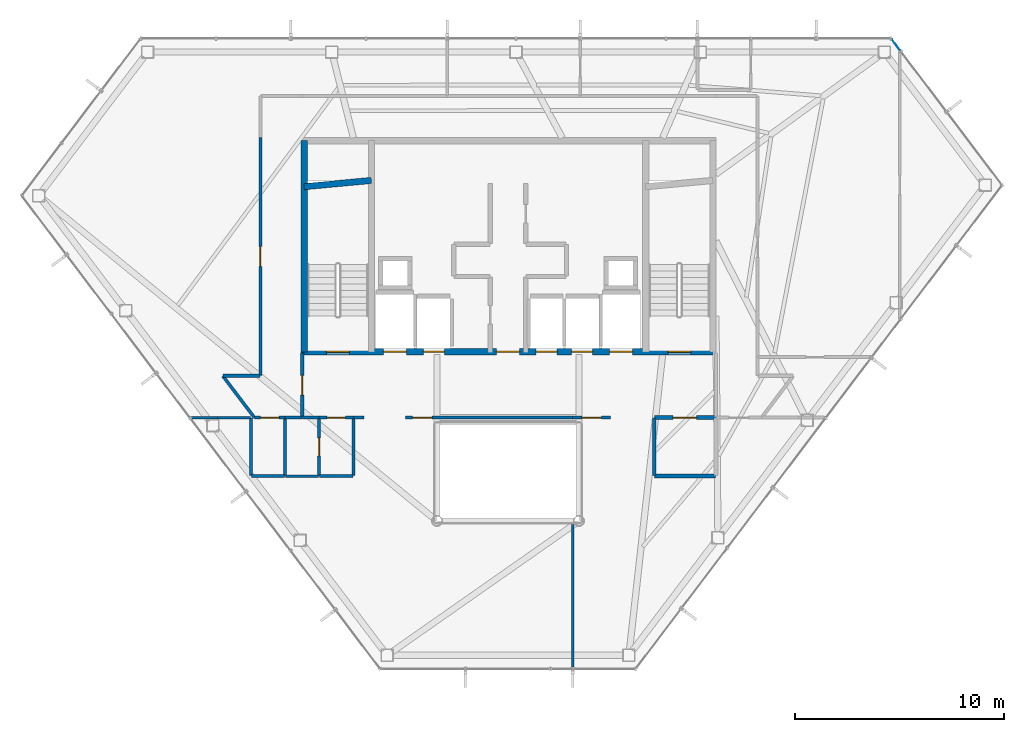
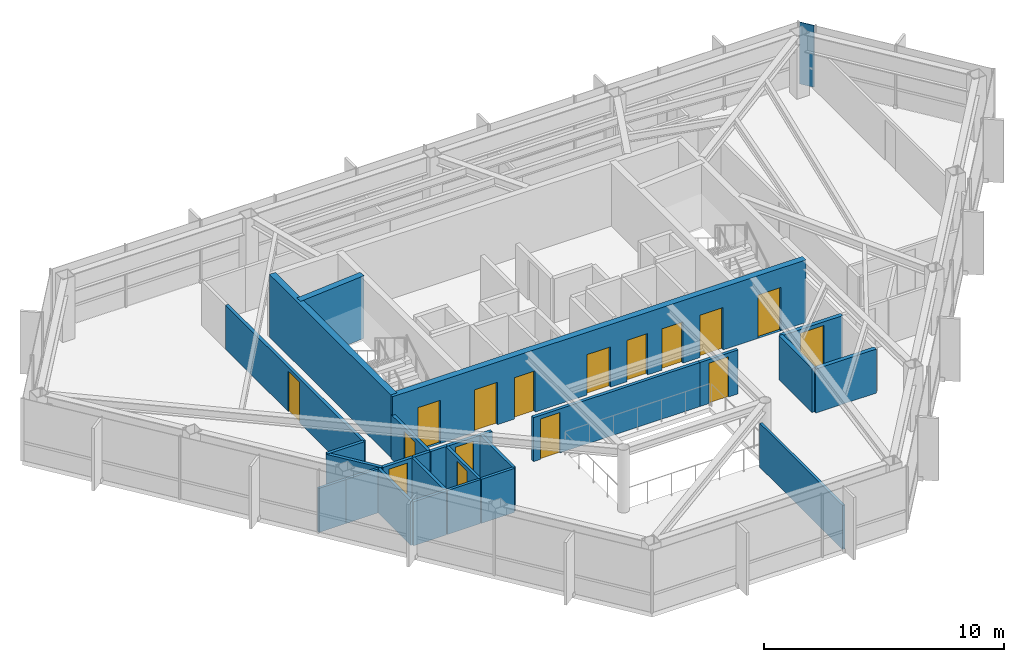
# One storey, part 25 of 28: 27 walls, 16 doors, 1 plate, 16 openings, 1 element without a shape of its own.
"""IFC4 building model written with IfcOpenShell, lengths in metres."""

from ifc_helpers import new_model, si_unit, direction, frame, frame_2d, origin, origin_2d, place, context, subcontext, project, spatial, rectangle, extrude, material, layer, layer_set, type_object, element, fill, aggregate, save


model = new_model("IFC4")

# Units and contexts
model_context = context("Model", 3, precision=1e-05, world=origin(), true_north=direction((0.0, 1.0)))
body_context = subcontext(model_context, "Body", "Model", "MODEL_VIEW")
ifc_project = project(units=[si_unit("LENGTHUNIT", "METRE"), si_unit("AREAUNIT", "SQUARE_METRE"), si_unit("VOLUMEUNIT", "CUBIC_METRE"), si_unit("PLANEANGLEUNIT", "RADIAN"), si_unit("MASSUNIT", "GRAM", prefix="KILO")], contexts=[model_context])

# Site, building, storey
site_placement = place(None, origin())
site = spatial("IfcSite", under=ifc_project, at=site_placement, CompositionType="ELEMENT")
building_placement = place(site_placement, origin())
building = spatial("IfcBuilding", under=site, at=building_placement, Name="Zarrinselat Tower", CompositionType="ELEMENT")
storey_placement = place(building_placement, frame((0.0, 0.0, 218.9599609375)))
storey = spatial("IfcBuildingStorey", under=building, at=storey_placement, Name="L54", CompositionType="ELEMENT", Elevation=218.9599609375)

# Curtain wall, plate
ifc_material_1 = material(Name="Extruded Aluminium Alloy EN AW-6063 T6", Category="aluminium")
ifc_layer_1 = layer(ifc_material_1, 0.169921875)
ifc_layer_set_1 = layer_set([ifc_layer_1], Name="Extruded Aluminium Alloy EN AW-6063 T6")
curtain_wall_type = type_object("IfcCurtainWallType", Name="CWS-RES", PredefinedType="NOTDEFINED", material=ifc_layer_set_1)
curtain_wall_placement = place(storey_placement, origin())
curtain_wall = element("IfcCurtainWall", 1, at=curtain_wall_placement, inside=storey, type_object=curtain_wall_type, Name="L54 Unitised Curtain Wall CW-L54-E06", PredefinedType="NOTDEFINED")
ifc_material_2 = material(Name="Double Low-E Laminated Solar Glass", Category="glass")
ifc_layer_2 = layer(ifc_material_2, 0.028076171875)
ifc_layer_set_2 = layer_set([ifc_layer_2], Name="Double Low-E Laminated Solar Glass")
plate_type = type_object("IfcPlateType", Name="PLT-CW-GL28", PredefinedType="CURTAIN_PANEL", material=ifc_layer_set_2)
plate_placement = place(storey_placement, frame((56.968994140625, 47.991455078125, 0.02001953125), z_axis=(0.0, 0.0, 1.0), x_axis=(-0.603860312232, 0.797090160089, 0.0)))
plate = element("IfcPlate", 2, at=plate_placement, type_object=plate_type, Name="CW-L54-E06 Vision Glass Panel 3", PredefinedType="CURTAIN_PANEL", context=body_context, shape_type="SweptSolid", body=[
    extrude(rectangle(XDim=0.659912109375, YDim=0.028076171875, at=origin_2d()), origin(), (0.0, 0.0, 1.0), 3.139892578125),
])
aggregate(curtain_wall, [plate])

# Wall, opening, door
ifc_material_3 = material(Name="Concrete C40/50", Category="concrete")
ifc_layer_3 = layer(ifc_material_3, 0.18994140625)
ifc_layer_set_3 = layer_set([ifc_layer_3], Name="Concrete C40/50")
wall_type_1 = type_object("IfcWallType", Name="WAL-PART-EI120", PredefinedType="PARTITIONING", material=ifc_layer_set_3)
wall_1_placement = place(storey_placement, frame((45.405029296875, 30.14990234375, 0.0), z_axis=(0.0, 0.0, 1.0), x_axis=(1.0, 0.0, 0.0)))
wall_1 = element("IfcWall", 3, at=wall_1_placement, inside=storey, type_object=wall_type_1, Name="L54 Partition Wall 11", PredefinedType="PARTITIONING", context=body_context, shape_type="SweptSolid", body=[
    extrude(rectangle(XDim=2.925048828125, YDim=0.18994140625, at=frame_2d((1.46240234375, 0.0))), origin(), (0.0, 0.0, 1.0), 2.235107421875),
])
opening_1_placement = place(wall_1_placement, frame((0.902587890625, 0.0, 0.0)))
opening_1 = element("IfcOpeningElement", 4, at=opening_1_placement, cuts=wall_1, Name="Opening ID-02", PredefinedType="OPENING", context=body_context, shape_type="SweptSolid", body=[
    extrude(rectangle(XDim=1.1201171875, YDim=2.050048828125, at=frame_2d((0.56005859375, 1.02490234375))), frame((0.0, 0.10498046875, 0.0), z_axis=(0.0, -1.0, 0.0), x_axis=(1.0, 0.0, 0.0)), (0.0, 0.0, 1.0), 0.2099609375),
])
ifc_material_4 = material(Name="Steel S355J2", Category="steel")
door_type_1 = type_object("IfcDoorType", Name="DR-INT-FD60-W", OperationType="NOTDEFINED", PredefinedType="DOOR", material=ifc_material_4)
door_1_placement = place(opening_1_placement, origin())
door_1 = element("IfcDoor", 5, at=door_1_placement, inside=storey, type_object=door_type_1, Name="L54 Interior Door P11", OperationType="SINGLE_SWING_RIGHT", OverallHeight=2.050048828125, OverallWidth=1.1201171875, PredefinedType="DOOR", context=body_context, shape_type="SweptSolid", body=[
    extrude(rectangle(XDim=1.1201171875, YDim=2.050048828125, at=frame_2d((0.56005859375, 1.02490234375))), frame((0.0, 0.02490234375, 0.0), z_axis=(0.0, -1.0, 0.0), x_axis=(1.0, 0.0, 0.0)), (0.0, 0.0, 1.0), 0.050048828125),
])
fill(opening_1, door_1)

# Walls
wall_2_placement = place(storey_placement, frame((45.419921875, 27.35009765625, 0.0), z_axis=(0.0, 0.0, 1.0), x_axis=(1.0, 0.0, 0.0)))
element("IfcWall", 6, at=wall_2_placement, inside=storey, type_object=wall_type_1, Name="L54 Partition Wall 19", PredefinedType="PARTITIONING", context=body_context, shape_type="SweptSolid", body=[
    extrude(rectangle(XDim=2.91015625, YDim=0.18994140625, at=frame_2d((1.455078125, 0.0))), origin(), (0.0, 0.0, 1.0), 2.235107421875),
])
wall_3_placement = place(storey_placement, frame((45.39990234375, 27.3701171875, 0.0), z_axis=(0.0, 0.0, 1.0), x_axis=(0.0, 1.0, 0.0)))
element("IfcWall", 7, at=wall_3_placement, inside=storey, type_object=wall_type_1, Name="L54 Partition Wall 20", PredefinedType="PARTITIONING", context=body_context, shape_type="SweptSolid", body=[
    extrude(rectangle(XDim=2.759765625, YDim=0.18994140625, at=frame_2d((1.3798828125, 0.0))), origin(), (0.0, 0.0, 1.0), 2.235107421875),
])

# Wall, opening, door
ifc_material_5 = material(Name="Fire-Rated Gypsum Board Partition", Category="gypsum")
ifc_layer_4 = layer(ifc_material_5, 0.14990234375)
ifc_layer_set_4 = layer_set([ifc_layer_4], Name="Fire-Rated Gypsum Board Partition")
wall_type_2 = type_object("IfcWallType", Name="WAL-PART-EI60", PredefinedType="PARTITIONING", material=ifc_layer_set_4)
wall_4_placement = place(storey_placement, frame((28.550048828125, 30.169921875, 0.0), z_axis=(0.0, 0.0, 1.0), x_axis=(0.0, 1.0, 0.0)))
wall_4 = element("IfcWall", 8, at=wall_4_placement, inside=storey, type_object=wall_type_2, Name="L54 Partition Wall 12", PredefinedType="PARTITIONING", context=body_context, shape_type="SweptSolid", body=[
    extrude(rectangle(XDim=3.06005859375, YDim=0.14990234375, at=frame_2d((1.530029296875, 0.0))), origin(), (0.0, 0.0, 1.0), 2.235107421875),
])
opening_2_placement = place(wall_4_placement, frame((1.06005859375, 0.0, 0.0)))
opening_2 = element("IfcOpeningElement", 9, at=opening_2_placement, cuts=wall_4, Name="Opening ID-04", PredefinedType="OPENING", context=body_context, shape_type="SweptSolid", body=[
    extrude(rectangle(XDim=0.93994140625, YDim=2.050048828125, at=frame_2d((0.469970703125, 1.02490234375))), frame((0.0, 0.0849609375, 0.0), z_axis=(0.0, -1.0, 0.0), x_axis=(1.0, 0.0, 0.0)), (0.0, 0.0, 1.0), 0.169921875),
])
ifc_material_6 = material(Name="Fire-Rated Gypsum Board Partition")
door_type_2 = type_object("IfcDoorType", Name="DR-INT-FD30-ENT", OperationType="NOTDEFINED", PredefinedType="DOOR", material=ifc_material_6)
door_2_placement = place(opening_2_placement, origin())
door_2 = element("IfcDoor", 10, at=door_2_placement, inside=storey, type_object=door_type_2, Name="L54 Interior Door P12", OperationType="SINGLE_SWING_LEFT", OverallHeight=2.050048828125, OverallWidth=0.93994140625, PredefinedType="DOOR", context=body_context, shape_type="SweptSolid", body=[
    extrude(rectangle(XDim=0.93994140625, YDim=2.050048828125, at=frame_2d((0.469970703125, 1.02490234375))), frame((0.0, 0.02490234375, 0.0), z_axis=(0.0, -1.0, 0.0), x_axis=(1.0, 0.0, 0.0)), (0.0, 0.0, 1.0), 0.050048828125),
])
fill(opening_2, door_2)

wall_5_placement = place(storey_placement, frame((29.364990234375, 30.14990234375, 0.0), z_axis=(0.0, 0.0, 1.0), x_axis=(1.0, 0.0, 0.0)))
wall_5 = element("IfcWall", 11, at=wall_5_placement, inside=storey, type_object=wall_type_2, Name="L54 Partition Wall 14", PredefinedType="PARTITIONING", context=body_context, shape_type="SweptSolid", body=[
    extrude(rectangle(XDim=1.630126953125, YDim=0.14990234375, at=frame_2d((0.81494140625, 0.0))), origin(), (0.0, 0.0, 1.0), 2.235107421875),
])
opening_3_placement = place(wall_5_placement, frame((0.375, 0.0, 0.0)))
opening_3 = element("IfcOpeningElement", 12, at=opening_3_placement, cuts=wall_5, Name="Opening ID-03", PredefinedType="OPENING", context=body_context, shape_type="SweptSolid", body=[
    extrude(rectangle(XDim=0.8798828125, YDim=2.050048828125, at=frame_2d((0.43994140625, 1.02490234375))), frame((0.0, 0.0849609375, 0.0), z_axis=(0.0, -1.0, 0.0), x_axis=(1.0, 0.0, 0.0)), (0.0, 0.0, 1.0), 0.169921875),
])
ifc_material_7 = material(Name="Steel S355J2", Category="steel")
door_type_3 = type_object("IfcDoorType", Name="DR-INT-FD60-S", OperationType="NOTDEFINED", PredefinedType="DOOR", material=ifc_material_7)
door_3_placement = place(opening_3_placement, origin())
door_3 = element("IfcDoor", 13, at=door_3_placement, inside=storey, type_object=door_type_3, Name="L54 Interior Door P14", OperationType="SINGLE_SWING_RIGHT", OverallHeight=2.050048828125, OverallWidth=0.8798828125, PredefinedType="DOOR", context=body_context, shape_type="SweptSolid", body=[
    extrude(rectangle(XDim=0.8798828125, YDim=2.050048828125, at=frame_2d((0.43994140625, 1.02490234375))), frame((0.0, 0.02490234375, 0.0), z_axis=(0.0, -1.0, 0.0), x_axis=(1.0, 0.0, 0.0)), (0.0, 0.0, 1.0), 0.050048828125),
])
fill(opening_3, door_3)

# Wall
wall_6_placement = place(storey_placement, frame((28.570068359375, 30.14990234375, 0.0), z_axis=(0.0, 0.0, 1.0), x_axis=(1.0, 0.0, 0.0)))
element("IfcWall", 14, at=wall_6_placement, inside=storey, type_object=wall_type_2, Name="L54 Partition Wall 15", PredefinedType="PARTITIONING", context=body_context, shape_type="SweptSolid", body=[
    extrude(rectangle(XDim=0.784912109375, YDim=0.14990234375, at=frame_2d((0.392578125, 0.0))), origin(), (0.0, 0.0, 1.0), 2.235107421875),
])

# Wall, opening, door
wall_7_placement = place(storey_placement, frame((33.485107421875, 30.14990234375, 0.0), z_axis=(0.0, 0.0, 1.0), x_axis=(1.0, 0.0, 0.0)))
wall_7 = element("IfcWall", 15, at=wall_7_placement, inside=storey, type_object=wall_type_2, Name="L54 Partition Wall 16", PredefinedType="PARTITIONING", context=body_context, shape_type="SweptSolid", body=[
    extrude(rectangle(XDim=8.02978515625, YDim=0.14990234375, at=frame_2d((4.014892578125, 0.0))), origin(), (0.0, 0.0, 1.0), 2.235107421875),
])
opening_4_placement = place(wall_7_placement, frame((0.344970703125, 0.0, 0.0)))
opening_4 = element("IfcOpeningElement", 16, at=opening_4_placement, cuts=wall_7, Name="Opening ID-04", PredefinedType="OPENING", context=body_context, shape_type="SweptSolid", body=[
    extrude(rectangle(XDim=0.93994140625, YDim=2.050048828125, at=frame_2d((0.469970703125, 1.02490234375))), frame((0.0, 0.0849609375, 0.0), z_axis=(0.0, -1.0, 0.0), x_axis=(1.0, 0.0, 0.0)), (0.0, 0.0, 1.0), 0.169921875),
])
door_4_placement = place(opening_4_placement, origin())
door_4 = element("IfcDoor", 17, at=door_4_placement, inside=storey, type_object=door_type_2, Name="L54 Interior Door P16", OperationType="SINGLE_SWING_LEFT", OverallHeight=2.050048828125, OverallWidth=0.93994140625, PredefinedType="DOOR", context=body_context, shape_type="SweptSolid", body=[
    extrude(rectangle(XDim=0.93994140625, YDim=2.050048828125, at=frame_2d((0.469970703125, 1.02490234375))), frame((0.0, 0.02490234375, 0.0), z_axis=(0.0, -1.0, 0.0), x_axis=(1.0, 0.0, 0.0)), (0.0, 0.0, 1.0), 0.050048828125),
])
fill(opening_4, door_4)

# Wall
wall_8_placement = place(storey_placement, frame((31.0048828125, 30.14990234375, 0.0), z_axis=(0.0, 0.0, 1.0), x_axis=(1.0, 0.0, 0.0)))
element("IfcWall", 18, at=wall_8_placement, inside=storey, type_object=wall_type_2, Name="L54 Partition Wall 17", PredefinedType="PARTITIONING", context=body_context, shape_type="SweptSolid", body=[
    extrude(rectangle(XDim=0.510009765625, YDim=0.14990234375, at=frame_2d((0.2548828125, 0.0))), origin(), (0.0, 0.0, 1.0), 2.235107421875),
])

# Wall, opening, door
wall_9_placement = place(storey_placement, frame((41.485107421875, 30.14990234375, 0.0), z_axis=(0.0, 0.0, 1.0), x_axis=(1.0, 0.0, 0.0)))
wall_9 = element("IfcWall", 19, at=wall_9_placement, inside=storey, type_object=wall_type_2, Name="L54 Partition Wall 18", PredefinedType="PARTITIONING", context=body_context, shape_type="SweptSolid", body=[
    extrude(rectangle(XDim=1.829833984375, YDim=0.14990234375, at=frame_2d((0.9150390625, 0.0))), origin(), (0.0, 0.0, 1.0), 2.235107421875),
])
opening_5_placement = place(wall_9_placement, frame((0.445068359375, 0.0, 0.0)))
opening_5 = element("IfcOpeningElement", 20, at=opening_5_placement, cuts=wall_9, Name="Opening ID-04", PredefinedType="OPENING", context=body_context, shape_type="SweptSolid", body=[
    extrude(rectangle(XDim=0.93994140625, YDim=2.050048828125, at=frame_2d((0.469970703125, 1.02490234375))), frame((0.0, 0.0849609375, 0.0), z_axis=(0.0, -1.0, 0.0), x_axis=(1.0, 0.0, 0.0)), (0.0, 0.0, 1.0), 0.169921875),
])
door_5_placement = place(opening_5_placement, origin())
door_5 = element("IfcDoor", 21, at=door_5_placement, inside=storey, type_object=door_type_2, Name="L54 Interior Door P18", OperationType="SINGLE_SWING_RIGHT", OverallHeight=2.050048828125, OverallWidth=0.93994140625, PredefinedType="DOOR", context=body_context, shape_type="SweptSolid", body=[
    extrude(rectangle(XDim=0.93994140625, YDim=2.050048828125, at=frame_2d((0.469970703125, 1.02490234375))), frame((0.0, 0.02490234375, 0.0), z_axis=(0.0, -1.0, 0.0), x_axis=(1.0, 0.0, 0.0)), (0.0, 0.0, 1.0), 0.050048828125),
])
fill(opening_5, door_5)

wall_10_placement = place(storey_placement, frame((26.27490234375, 30.14990234375, 0.0), z_axis=(0.0, 0.0, 1.0), x_axis=(1.0, 0.0, 0.0)))
wall_10 = element("IfcWall", 22, at=wall_10_placement, inside=storey, type_object=wall_type_2, Name="L54 Partition Wall 22", PredefinedType="PARTITIONING", context=body_context, shape_type="SweptSolid", body=[
    extrude(rectangle(XDim=1.4501953125, YDim=0.14990234375, at=frame_2d((0.72509765625, 0.0))), origin(), (0.0, 0.0, 1.0), 2.235107421875),
])
opening_6_placement = place(wall_10_placement, frame((0.28515625, 0.0, 0.0)))
opening_6 = element("IfcOpeningElement", 23, at=opening_6_placement, cuts=wall_10, Name="Opening ID-03", PredefinedType="OPENING", context=body_context, shape_type="SweptSolid", body=[
    extrude(rectangle(XDim=0.8798828125, YDim=2.050048828125, at=frame_2d((0.43994140625, 1.02490234375))), frame((0.0, 0.0849609375, 0.0), z_axis=(0.0, -1.0, 0.0), x_axis=(1.0, 0.0, 0.0)), (0.0, 0.0, 1.0), 0.169921875),
])
door_6_placement = place(opening_6_placement, origin())
door_6 = element("IfcDoor", 24, at=door_6_placement, inside=storey, type_object=door_type_3, Name="L54 Interior Door P22", OperationType="SINGLE_SWING_LEFT", OverallHeight=2.050048828125, OverallWidth=0.8798828125, PredefinedType="DOOR", context=body_context, shape_type="SweptSolid", body=[
    extrude(rectangle(XDim=0.8798828125, YDim=2.050048828125, at=frame_2d((0.43994140625, 1.02490234375))), frame((0.0, 0.02490234375, 0.0), z_axis=(0.0, -1.0, 0.0), x_axis=(1.0, 0.0, 0.0)), (0.0, 0.0, 1.0), 0.050048828125),
])
fill(opening_6, door_6)

# Walls
wall_11_placement = place(storey_placement, frame((27.735107421875, 30.14990234375, 0.0), z_axis=(0.0, 0.0, 1.0), x_axis=(1.0, 0.0, 0.0)))
element("IfcWall", 25, at=wall_11_placement, inside=storey, type_object=wall_type_2, Name="L54 Partition Wall 23", PredefinedType="PARTITIONING", context=body_context, shape_type="SweptSolid", body=[
    extrude(rectangle(XDim=0.794921875, YDim=0.14990234375, at=frame_2d((0.3974609375, 0.0))), origin(), (0.0, 0.0, 1.0), 2.235107421875),
])
wall_12_placement = place(storey_placement, frame((24.7568359375, 32.134033203125, 0.0), z_axis=(0.0, 0.0, 1.0), x_axis=(0.603806698968, -0.797130773638, 0.0)))
element("IfcWall", 26, at=wall_12_placement, inside=storey, type_object=wall_type_2, Name="L54 Partition Wall 25", PredefinedType="PARTITIONING", context=body_context, shape_type="SweptSolid", body=[
    extrude(rectangle(XDim=2.489013671875, YDim=0.14990234375, at=frame_2d((1.24462890625, 0.0))), origin(), (0.0, 0.0, 1.0), 2.235107421875),
])
wall_13_placement = place(storey_placement, frame((24.7646484375, 32.14990234375, 0.0), z_axis=(0.0, 0.0, 1.0), x_axis=(1.0, 0.0, 0.0)))
element("IfcWall", 27, at=wall_13_placement, inside=storey, type_object=wall_type_2, Name="L54 Partition Wall 26", PredefinedType="PARTITIONING", context=body_context, shape_type="SweptSolid", body=[
    extrude(rectangle(XDim=1.765380859375, YDim=0.14990234375, at=frame_2d((0.8828125, 0.0))), origin(), (0.0, 0.0, 1.0), 2.235107421875),
])

# Wall, opening, door
wall_14_placement = place(storey_placement, frame((26.550048828125, 32.169921875, 0.0), z_axis=(0.0, 0.0, 1.0), x_axis=(0.0, 1.0, 0.0)))
wall_14 = element("IfcWall", 28, at=wall_14_placement, inside=storey, type_object=wall_type_2, Name="L54 Partition Wall 27", PredefinedType="PARTITIONING", context=body_context, shape_type="SweptSolid", body=[
    extrude(rectangle(XDim=11.380126953125, YDim=0.14990234375, at=frame_2d((5.68994140625, 0.0))), origin(), (0.0, 0.0, 1.0), 2.235107421875),
])
opening_7_placement = place(wall_14_placement, frame((5.219970703125, 0.0, 0.0)))
opening_7 = element("IfcOpeningElement", 29, at=opening_7_placement, cuts=wall_14, Name="Opening ID-04", PredefinedType="OPENING", context=body_context, shape_type="SweptSolid", body=[
    extrude(rectangle(XDim=0.93994140625, YDim=2.050048828125, at=frame_2d((0.469970703125, 1.02490234375))), frame((0.0, 0.0849609375, 0.0), z_axis=(0.0, -1.0, 0.0), x_axis=(1.0, 0.0, 0.0)), (0.0, 0.0, 1.0), 0.169921875),
])
door_7_placement = place(opening_7_placement, origin())
door_7 = element("IfcDoor", 30, at=door_7_placement, inside=storey, type_object=door_type_2, Name="L54 Interior Door P27", OperationType="SINGLE_SWING_LEFT", OverallHeight=2.050048828125, OverallWidth=0.93994140625, PredefinedType="DOOR", context=body_context, shape_type="SweptSolid", body=[
    extrude(rectangle(XDim=0.93994140625, YDim=2.050048828125, at=frame_2d((0.469970703125, 1.02490234375))), frame((0.0, 0.02490234375, 0.0), z_axis=(0.0, -1.0, 0.0), x_axis=(1.0, 0.0, 0.0)), (0.0, 0.0, 1.0), 0.050048828125),
])
fill(opening_7, door_7)

# Walls
ifc_material_8 = material(Name="Fire-Rated Gypsum Board Partition", Category="gypsum")
ifc_layer_5 = layer(ifc_material_8, 0.1201171875)
ifc_layer_set_5 = layer_set([ifc_layer_5], Name="Fire-Rated Gypsum Board Partition")
wall_type_3 = type_object("IfcWallType", Name="WAL-PART-STD", PredefinedType="PARTITIONING", material=ifc_layer_set_5)
wall_15_placement = place(storey_placement, frame((27.75, 27.35009765625, 0.0), z_axis=(0.0, 0.0, 1.0), x_axis=(1.0, 0.0, 0.0)))
element("IfcWall", 31, at=wall_15_placement, inside=storey, type_object=wall_type_3, Name="L54 Partition Wall 45", PredefinedType="PARTITIONING", context=body_context, shape_type="SweptSolid", body=[
    extrude(rectangle(XDim=1.590087890625, YDim=0.1201171875, at=frame_2d((0.794921875, 0.0))), origin(), (0.0, 0.0, 1.0), 2.235107421875),
])
wall_16_placement = place(storey_placement, frame((41.5, 18.131591796875, 0.0), z_axis=(0.0, 0.0, 1.0), x_axis=(0.0, 1.0, 0.0)))
element("IfcWall", 32, at=wall_16_placement, inside=storey, type_object=wall_type_3, Name="L54 Partition Wall 46", PredefinedType="PARTITIONING", context=body_context, shape_type="SweptSolid", body=[
    extrude(rectangle(XDim=6.888427734375, YDim=0.1201171875, at=frame_2d((3.4443359375, 0.0))), origin(), (0.0, 0.0, 1.0), 2.235107421875),
])
wall_17_placement = place(storey_placement, frame((23.188720703125, 30.14990234375, 0.0), z_axis=(0.0, 0.0, 1.0), x_axis=(1.0, 0.0, 0.0)))
element("IfcWall", 33, at=wall_17_placement, inside=storey, type_object=wall_type_3, Name="L54 Partition Wall 47", PredefinedType="PARTITIONING", context=body_context, shape_type="SweptSolid", body=[
    extrude(rectangle(XDim=1.311279296875, YDim=0.1201171875, at=frame_2d((0.65576171875, 0.0))), origin(), (0.0, 0.0, 1.0), 2.235107421875),
])
wall_18_placement = place(storey_placement, frame((24.5, 30.14990234375, 0.0), z_axis=(0.0, 0.0, 1.0), x_axis=(1.0, 0.0, 0.0)))
element("IfcWall", 34, at=wall_18_placement, inside=storey, type_object=wall_type_3, Name="L54 Partition Wall 48", PredefinedType="PARTITIONING", context=body_context, shape_type="SweptSolid", body=[
    extrude(rectangle(XDim=1.580078125, YDim=0.1201171875, at=frame_2d((0.7900390625, 0.0))), origin(), (0.0, 0.0, 1.0), 2.235107421875),
])

# Wall, opening, door
ifc_material_9 = material(Name="Fire-Rated Gypsum Board Partition", Category="gypsum")
ifc_layer_6 = layer(ifc_material_9, 0.135009765625)
ifc_layer_set_6 = layer_set([ifc_layer_6], Name="Fire-Rated Gypsum Board Partition")
wall_type_4 = type_object("IfcWallType", Name="WAL-PART-WET", PredefinedType="PARTITIONING", material=ifc_layer_set_6)
wall_19_placement = place(storey_placement, frame((29.360107421875, 27.3701171875, 0.0), z_axis=(0.0, 0.0, 1.0), x_axis=(0.0, 1.0, 0.0)))
wall_19 = element("IfcWall", 35, at=wall_19_placement, inside=storey, type_object=wall_type_4, Name="L54 Partition Wall 39", PredefinedType="PARTITIONING", context=body_context, shape_type="SweptSolid", body=[
    extrude(rectangle(XDim=2.759765625, YDim=0.135009765625, at=frame_2d((1.3798828125, 0.0))), origin(), (0.0, 0.0, 1.0), 2.235107421875),
])
opening_8_placement = place(wall_19_placement, frame((0.949951171875, 0.0, 0.0)))
opening_8 = element("IfcOpeningElement", 36, at=opening_8_placement, cuts=wall_19, Name="Opening ID-06", PredefinedType="OPENING", context=body_context, shape_type="SweptSolid", body=[
    extrude(rectangle(XDim=0.860107421875, YDim=2.050048828125, at=frame_2d((0.43017578125, 1.02490234375))), frame((0.0, 0.077392578125, 0.0), z_axis=(0.0, -1.0, 0.0), x_axis=(1.0, 0.0, 0.0)), (0.0, 0.0, 1.0), 0.155029296875),
])
ifc_material_10 = material(Name="Extruded Aluminium Alloy EN AW-6063 T6", Category="aluminium")
door_type_4 = type_object("IfcDoorType", Name="DR-INT-WET-900", OperationType="NOTDEFINED", PredefinedType="DOOR", material=ifc_material_10)
door_8_placement = place(opening_8_placement, origin())
door_8 = element("IfcDoor", 37, at=door_8_placement, inside=storey, type_object=door_type_4, Name="L54 Interior Door P39", OperationType="SINGLE_SWING_LEFT", OverallHeight=2.050048828125, OverallWidth=0.860107421875, PredefinedType="DOOR", context=body_context, shape_type="SweptSolid", body=[
    extrude(rectangle(XDim=0.860107421875, YDim=2.050048828125, at=frame_2d((0.43017578125, 1.02490234375))), frame((0.0, 0.02490234375, 0.0), z_axis=(0.0, -1.0, 0.0), x_axis=(1.0, 0.0, 0.0)), (0.0, 0.0, 1.0), 0.050048828125),
])
fill(opening_8, door_8)

# Walls
wall_20_placement = place(storey_placement, frame((29.3798828125, 27.35009765625, 0.0), z_axis=(0.0, 0.0, 1.0), x_axis=(1.0, 0.0, 0.0)))
element("IfcWall", 38, at=wall_20_placement, inside=storey, type_object=wall_type_4, Name="L54 Partition Wall 40", PredefinedType="PARTITIONING", context=body_context, shape_type="SweptSolid", body=[
    extrude(rectangle(XDim=1.60009765625, YDim=0.135009765625, at=frame_2d((0.800048828125, 0.0))), origin(), (0.0, 0.0, 1.0), 2.235107421875),
])
for number, where, z_axis, x_axis, name in (
    (39, (31.0, 27.3701171875, 0.0), (0.0, 0.0, 1.0), (0.0, 1.0, 0.0), "L54 Partition Wall 41"),
    (40, (27.72998046875, 27.3701171875, 0.0), (0.0, 0.0, 1.0), (0.0, 1.0, 0.0), "L54 Partition Wall 42"),
):
    element("IfcWall", number, at=place(storey_placement, frame(where, z_axis=z_axis, x_axis=x_axis)), inside=storey, type_object=wall_type_4, Name=name, PredefinedType="PARTITIONING", context=body_context, shape_type="SweptSolid", body=[
        extrude(rectangle(XDim=2.759765625, YDim=0.135009765625, at=frame_2d((1.3798828125, 0.0))), origin(), (0.0, 0.0, 1.0), 2.235107421875),
    ])
wall_21_placement = place(storey_placement, frame((26.1201171875, 27.35009765625, 0.0), z_axis=(0.0, 0.0, 1.0), x_axis=(1.0, 0.0, 0.0)))
element("IfcWall", 41, at=wall_21_placement, inside=storey, type_object=wall_type_4, Name="L54 Partition Wall 43", PredefinedType="PARTITIONING", context=body_context, shape_type="SweptSolid", body=[
    extrude(rectangle(XDim=1.58984375, YDim=0.135009765625, at=frame_2d((0.794921875, 0.0))), origin(), (0.0, 0.0, 1.0), 2.235107421875),
])
wall_22_placement = place(storey_placement, frame((26.10009765625, 27.3701171875, 0.0), z_axis=(0.0, 0.0, 1.0), x_axis=(0.0, 1.0, 0.0)))
element("IfcWall", 42, at=wall_22_placement, inside=storey, type_object=wall_type_4, Name="L54 Partition Wall 44", PredefinedType="PARTITIONING", context=body_context, shape_type="SweptSolid", body=[
    extrude(rectangle(XDim=2.759765625, YDim=0.135009765625, at=frame_2d((1.3798828125, 0.0))), origin(), (0.0, 0.0, 1.0), 2.235107421875),
])

# Wall, openings, doors
ifc_material_11 = material(Name="Concrete C40/50", Category="concrete")
ifc_layer_7 = layer(ifc_material_11, 0.300048828125)
ifc_layer_set_7 = layer_set([ifc_layer_7], Name="Concrete C40/50")
wall_type_5 = type_object("IfcWallType", Name="WAL-SHEAR-300", PredefinedType="SHEAR", material=ifc_layer_set_7)
wall_23_placement = place(storey_placement, frame((28.5, 33.300048828125, 0.0), z_axis=(0.0, 0.0, 1.0), x_axis=(1.0, 0.0, 0.0)))
wall_23 = element("IfcWall", 43, at=wall_23_placement, inside=storey, type_object=wall_type_5, Name="L54 South Core Shear Wall", PredefinedType="SHEAR", context=body_context, shape_type="SweptSolid", body=[
    extrude(rectangle(XDim=19.860107421875, YDim=0.300048828125, at=frame_2d((9.93017578125, 0.0))), origin(), (0.0, 0.0, 1.0), 3.179931640625),
])
opening_9_placement = place(wall_23_placement, frame((3.929931640625, 0.0, 0.0)))
opening_9 = element("IfcOpeningElement", 44, at=opening_9_placement, cuts=wall_23, Name="Opening LD-FFL1", PredefinedType="OPENING", context=body_context, shape_type="SweptSolid", body=[
    extrude(rectangle(XDim=1.10009765625, YDim=2.14990234375, at=frame_2d((0.550048828125, 1.074951171875))), frame((0.0, 0.159912109375, 0.0), z_axis=(0.0, -1.0, 0.0), x_axis=(1.0, 0.0, 0.0)), (0.0, 0.0, 1.0), 0.320068359375),
])
opening_10_placement = place(wall_23_placement, frame((14.77001953125, 0.0, 0.0)))
opening_10 = element("IfcOpeningElement", 45, at=opening_10_placement, cuts=wall_23, Name="Opening LD-FFL2", PredefinedType="OPENING", context=body_context, shape_type="SweptSolid", body=[
    extrude(rectangle(XDim=1.10009765625, YDim=2.14990234375, at=frame_2d((0.550048828125, 1.074951171875))), frame((0.0, 0.159912109375, 0.0), z_axis=(0.0, -1.0, 0.0), x_axis=(1.0, 0.0, 0.0)), (0.0, 0.0, 1.0), 0.320068359375),
])
opening_11_placement = place(wall_23_placement, frame((11.25, 0.0, 0.0)))
opening_11 = element("IfcOpeningElement", 46, at=opening_11_placement, cuts=wall_23, Name="Opening LD-PL8", PredefinedType="OPENING", context=body_context, shape_type="SweptSolid", body=[
    extrude(rectangle(XDim=1.0, YDim=2.10009765625, at=frame_2d((0.5, 1.050048828125))), frame((0.0, 0.159912109375, 0.0), z_axis=(0.0, -1.0, 0.0), x_axis=(1.0, 0.0, 0.0)), (0.0, 0.0, 1.0), 0.320068359375),
])
opening_12_placement = place(wall_23_placement, frame((12.949951171875, 0.0, 0.0)))
opening_12 = element("IfcOpeningElement", 47, at=opening_12_placement, cuts=wall_23, Name="Opening LD-PL9", PredefinedType="OPENING", context=body_context, shape_type="SweptSolid", body=[
    extrude(rectangle(XDim=1.0, YDim=2.10009765625, at=frame_2d((0.5, 1.050048828125))), frame((0.0, 0.159912109375, 0.0), z_axis=(0.0, -1.0, 0.0), x_axis=(1.0, 0.0, 0.0)), (0.0, 0.0, 1.0), 0.320068359375),
])
opening_13_placement = place(wall_23_placement, frame((5.85009765625, 0.0, 0.0)))
opening_13 = element("IfcOpeningElement", 48, at=opening_13_placement, cuts=wall_23, Name="Opening LD-PL10", PredefinedType="OPENING", context=body_context, shape_type="SweptSolid", body=[
    extrude(rectangle(XDim=1.0, YDim=2.10009765625, at=frame_2d((0.5, 1.050048828125))), frame((0.0, 0.159912109375, 0.0), z_axis=(0.0, -1.0, 0.0), x_axis=(1.0, 0.0, 0.0)), (0.0, 0.0, 1.0), 0.320068359375),
])
opening_14_placement = place(wall_23_placement, frame((1.2099609375, 0.0, 0.0)))
opening_14 = element("IfcOpeningElement", 49, at=opening_14_placement, cuts=wall_23, Name="Opening SD-01", PredefinedType="OPENING", context=body_context, shape_type="SweptSolid", body=[
    extrude(rectangle(XDim=1.10009765625, YDim=2.199951171875, at=frame_2d((0.550048828125, 1.10009765625))), frame((0.0, 0.159912109375, 0.0), z_axis=(0.0, -1.0, 0.0), x_axis=(1.0, 0.0, 0.0)), (0.0, 0.0, 1.0), 0.320068359375),
])
opening_15_placement = place(wall_23_placement, frame((9.340087890625, 0.0, 0.0)))
opening_15 = element("IfcOpeningElement", 50, at=opening_15_placement, cuts=wall_23, Name="Opening ID-02", PredefinedType="OPENING", context=body_context, shape_type="SweptSolid", body=[
    extrude(rectangle(XDim=1.1201171875, YDim=2.050048828125, at=frame_2d((0.56005859375, 1.02490234375))), frame((0.0, 0.159912109375, 0.0), z_axis=(0.0, -1.0, 0.0), x_axis=(1.0, 0.0, 0.0)), (0.0, 0.0, 1.0), 0.320068359375),
])
opening_16_placement = place(wall_23_placement, frame((17.550048828125, 0.0, 0.0)))
opening_16 = element("IfcOpeningElement", 51, at=opening_16_placement, cuts=wall_23, Name="Opening SD-01", PredefinedType="OPENING", context=body_context, shape_type="SweptSolid", body=[
    extrude(rectangle(XDim=1.10009765625, YDim=2.199951171875, at=frame_2d((0.550048828125, 1.10009765625))), frame((0.0, 0.159912109375, 0.0), z_axis=(0.0, -1.0, 0.0), x_axis=(1.0, 0.0, 0.0)), (0.0, 0.0, 1.0), 0.320068359375),
])
door_9_placement = place(opening_15_placement, origin())
door_9 = element("IfcDoor", 52, at=door_9_placement, inside=storey, type_object=door_type_1, Name="L54 Core Service Vestibule Fire Door", OperationType="SINGLE_SWING_RIGHT", OverallHeight=2.050048828125, OverallWidth=1.1201171875, PredefinedType="DOOR", context=body_context, shape_type="SweptSolid", body=[
    extrude(rectangle(XDim=1.1201171875, YDim=2.050048828125, at=frame_2d((0.56005859375, 1.02490234375))), frame((0.0, 0.02490234375, 0.0), z_axis=(0.0, -1.0, 0.0), x_axis=(1.0, 0.0, 0.0)), (0.0, 0.0, 1.0), 0.050048828125),
])
fill(opening_15, door_9)
ifc_material_12 = material(Name="Steel S355J2", Category="steel")
door_type_5 = type_object("IfcDoorType", Name="DR-LIFT-FF-1100", OperationType="NOTDEFINED", PredefinedType="DOOR", material=ifc_material_12)
door_10_placement = place(opening_9_placement, origin())
door_10 = element("IfcDoor", 53, at=door_10_placement, inside=storey, type_object=door_type_5, Name="L54 Lift FFL1 Sliding Landing Door", OperationType="SLIDING_TO_LEFT", OverallHeight=2.14990234375, OverallWidth=1.10009765625, PredefinedType="DOOR", context=body_context, shape_type="SweptSolid", body=[
    extrude(rectangle(XDim=1.10009765625, YDim=2.14990234375, at=frame_2d((0.550048828125, 1.074951171875))), frame((0.0, 0.02490234375, 0.0), z_axis=(0.0, -1.0, 0.0), x_axis=(1.0, 0.0, 0.0)), (0.0, 0.0, 1.0), 0.050048828125),
])
fill(opening_9, door_10)
door_11_placement = place(opening_10_placement, origin())
door_11 = element("IfcDoor", 54, at=door_11_placement, inside=storey, type_object=door_type_5, Name="L54 Lift FFL2 Sliding Landing Door", OperationType="SLIDING_TO_RIGHT", OverallHeight=2.14990234375, OverallWidth=1.10009765625, PredefinedType="DOOR", context=body_context, shape_type="SweptSolid", body=[
    extrude(rectangle(XDim=1.10009765625, YDim=2.14990234375, at=frame_2d((0.550048828125, 1.074951171875))), frame((0.0, 0.02490234375, 0.0), z_axis=(0.0, -1.0, 0.0), x_axis=(1.0, 0.0, 0.0)), (0.0, 0.0, 1.0), 0.050048828125),
])
fill(opening_10, door_11)
ifc_material_13 = material(Name="Steel S355J2", Category="steel")
door_type_6 = type_object("IfcDoorType", Name="DR-LIFT-PS-1000", OperationType="NOTDEFINED", PredefinedType="DOOR", material=ifc_material_13)
door_12_placement = place(opening_11_placement, origin())
door_12 = element("IfcDoor", 55, at=door_12_placement, inside=storey, type_object=door_type_6, Name="L54 Lift PL8 Sliding Landing Door", OperationType="SLIDING_TO_RIGHT", OverallHeight=2.10009765625, OverallWidth=1.0, PredefinedType="DOOR", context=body_context, shape_type="SweptSolid", body=[
    extrude(rectangle(XDim=1.0, YDim=2.10009765625, at=frame_2d((0.5, 1.050048828125))), frame((0.0, 0.02490234375, 0.0), z_axis=(0.0, -1.0, 0.0), x_axis=(1.0, 0.0, 0.0)), (0.0, 0.0, 1.0), 0.050048828125),
])
fill(opening_11, door_12)
door_13_placement = place(opening_12_placement, origin())
door_13 = element("IfcDoor", 56, at=door_13_placement, inside=storey, type_object=door_type_6, Name="L54 Lift PL9 Sliding Landing Door", OperationType="SLIDING_TO_LEFT", OverallHeight=2.10009765625, OverallWidth=1.0, PredefinedType="DOOR", context=body_context, shape_type="SweptSolid", body=[
    extrude(rectangle(XDim=1.0, YDim=2.10009765625, at=frame_2d((0.5, 1.050048828125))), frame((0.0, 0.02490234375, 0.0), z_axis=(0.0, -1.0, 0.0), x_axis=(1.0, 0.0, 0.0)), (0.0, 0.0, 1.0), 0.050048828125),
])
fill(opening_12, door_13)
door_14_placement = place(opening_13_placement, origin())
door_14 = element("IfcDoor", 57, at=door_14_placement, inside=storey, type_object=door_type_6, Name="L54 Lift PL10 Sliding Landing Door", OperationType="SLIDING_TO_RIGHT", OverallHeight=2.10009765625, OverallWidth=1.0, PredefinedType="DOOR", context=body_context, shape_type="SweptSolid", body=[
    extrude(rectangle(XDim=1.0, YDim=2.10009765625, at=frame_2d((0.5, 1.050048828125))), frame((0.0, 0.02490234375, 0.0), z_axis=(0.0, -1.0, 0.0), x_axis=(1.0, 0.0, 0.0)), (0.0, 0.0, 1.0), 0.050048828125),
])
fill(opening_13, door_14)
ifc_material_14 = material(Name="Steel S355J2", Category="steel")
door_type_7 = type_object("IfcDoorType", Name="DR-STAIR-1100", OperationType="NOTDEFINED", PredefinedType="DOOR", material=ifc_material_14)
door_15_placement = place(opening_14_placement, origin())
door_15 = element("IfcDoor", 58, at=door_15_placement, inside=storey, type_object=door_type_7, Name="L54 Exit Stair 1 Fire Door", OperationType="SINGLE_SWING_LEFT", OverallHeight=2.199951171875, OverallWidth=1.10009765625, PredefinedType="DOOR", context=body_context, shape_type="SweptSolid", body=[
    extrude(rectangle(XDim=1.10009765625, YDim=2.199951171875, at=frame_2d((0.550048828125, 1.10009765625))), frame((0.0, 0.02490234375, 0.0), z_axis=(0.0, -1.0, 0.0), x_axis=(1.0, 0.0, 0.0)), (0.0, 0.0, 1.0), 0.050048828125),
])
fill(opening_14, door_15)
door_16_placement = place(opening_16_placement, origin())
door_16 = element("IfcDoor", 59, at=door_16_placement, inside=storey, type_object=door_type_7, Name="L54 Exit Stair 2 Fire Door", OperationType="SINGLE_SWING_RIGHT", OverallHeight=2.199951171875, OverallWidth=1.10009765625, PredefinedType="DOOR", context=body_context, shape_type="SweptSolid", body=[
    extrude(rectangle(XDim=1.10009765625, YDim=2.199951171875, at=frame_2d((0.550048828125, 1.10009765625))), frame((0.0, 0.02490234375, 0.0), z_axis=(0.0, -1.0, 0.0), x_axis=(1.0, 0.0, 0.0)), (0.0, 0.0, 1.0), 0.050048828125),
])
fill(opening_16, door_16)

# Walls
wall_24_placement = place(storey_placement, frame((28.64990234375, 33.300048828125, 0.0), z_axis=(0.0, 0.0, 1.0), x_axis=(0.0, 1.0, 0.0)))
element("IfcWall", 60, at=wall_24_placement, inside=storey, type_object=wall_type_5, Name="L54 Core Shear Wall W", PredefinedType="SHEAR", context=body_context, shape_type="SweptSolid", body=[
    extrude(rectangle(XDim=10.099853515625, YDim=0.300048828125, at=frame_2d((5.0498046875, 0.0))), origin(), (0.0, 0.0, 1.0), 3.179931640625),
])
wall_25_placement = place(storey_placement, frame((28.639892578125, 41.199951171875, 0.0), z_axis=(0.0, 0.0, 1.0), x_axis=(0.995687118776, 0.092774789157, 0.0)))
element("IfcWall", 61, at=wall_25_placement, inside=storey, type_object=wall_type_5, Name="L54 Stair 1 North Shaft Wall", PredefinedType="SHEAR", context=body_context, shape_type="SweptSolid", body=[
    extrude(rectangle(XDim=3.234130859375, YDim=0.300048828125, at=frame_2d((1.6171875, 0.0))), origin(), (0.0, 0.0, 1.0), 3.179931640625),
])

save(model, "model.ifc")
